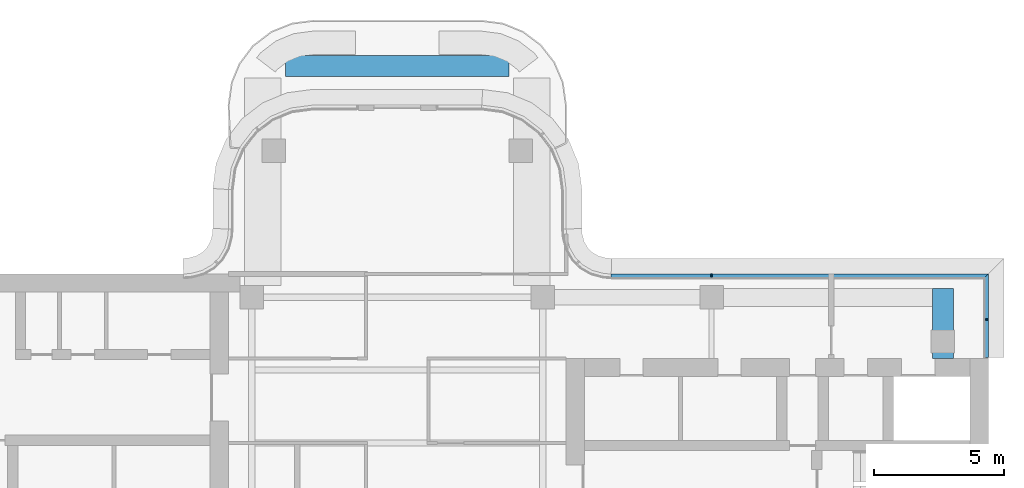
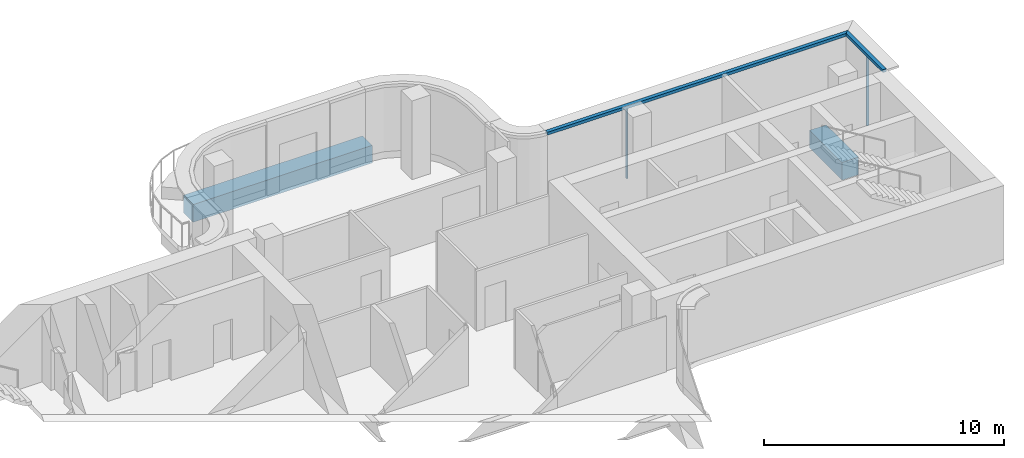
# One storey, part 5 of 11: 4 members, 2 beams, 2 elements without a shape of their own.
"""IFC4 building model written with IfcOpenShell, lengths in metres."""

from ifc_helpers import new_model, si_unit, direction, frame, origin, origin_2d, place, context, subcontext, project, spatial, polyline, rectangle, outline, extrude, source, transform, mapped, material, layer, layer_set, material_profile, profile_set, type_object, element, aggregate, save


model = new_model("IFC4")

# Units and contexts
model_context = context("Model", 3, precision=1e-05, world=origin(), true_north=direction((0.0, 1.0)))
body_context = subcontext(model_context, "Body", "Model", "MODEL_VIEW")
ifc_project = project(units=[si_unit("LENGTHUNIT", "METRE"), si_unit("AREAUNIT", "SQUARE_METRE"), si_unit("VOLUMEUNIT", "CUBIC_METRE"), si_unit("PLANEANGLEUNIT", "RADIAN"), si_unit("MASSUNIT", "GRAM", prefix="KILO")], contexts=[model_context])

# Site, building, storey
site_placement = place(None, origin())
site = spatial("IfcSite", under=ifc_project, at=site_placement, CompositionType="ELEMENT")
building_placement = place(site_placement, origin())
building = spatial("IfcBuilding", under=site, at=building_placement, Name="Trellis Farm Tower", CompositionType="ELEMENT")
storey_placement = place(building_placement, frame((0.0, 0.0, 346.10009765625)))
storey = spatial("IfcBuildingStorey", under=building, at=storey_placement, Name="L78", CompositionType="ELEMENT", Elevation=346.10009765625)

# Beams
ifc_material_1 = material(Name="Concrete C60/75", Category="concrete")
ifc_material_profile_1 = material_profile(ifc_material_1, rectangle(XDim=0.800048828125, YDim=0.89990234375, at=origin_2d()), Name="RC spandrel beam 800x900 C60/75")
ifc_profile_set_1 = profile_set([ifc_material_profile_1], Name="Concrete C60/75")
beam_type = type_object("IfcBeamType", Name="RC spandrel beam 800x900 C60/75", PredefinedType="SPANDREL", material=ifc_profile_set_1)
shared_shape_1 = source(origin(), body_context, "Body", "SweptSolid", [
    extrude(rectangle(XDim=0.800048828125, YDim=0.89990234375, at=origin_2d()), origin(), (0.0, 0.0, 1.0), 8.60009765625),
])
beam_1_placement = place(storey_placement, frame((-4.300048828125, 14.5, -0.7001953125), z_axis=(1.0, 0.0, 0.0), x_axis=(0.0, 1.0, 0.0)))
element("IfcBeam", 1, at=beam_1_placement, inside=storey, type_object=beam_type, Name="Girder", PredefinedType="SPANDREL", context=body_context, shape_type="MappedRepresentation", body=[
    mapped(shared_shape_1, transform((0.0, 0.0, 0.0))),
])
shared_shape_2 = source(origin(), body_context, "Body", "SweptSolid", [
    extrude(rectangle(XDim=0.800048828125, YDim=0.89990234375, at=origin_2d()), origin(), (0.0, 0.0, 1.0), 2.699951171875),
])
beam_2_placement = place(storey_placement, frame((21.0, 3.25, -0.7001953125), z_axis=(0.0, 1.0, 0.0), x_axis=(-1.0, 0.0, 0.0)))
element("IfcBeam", 2, at=beam_2_placement, inside=storey, type_object=beam_type, Name="Girder", PredefinedType="SPANDREL", context=body_context, shape_type="MappedRepresentation", body=[
    mapped(shared_shape_2, transform((0.0, 0.0, 0.0))),
])

# Curtain wall, member
ifc_material_2 = material(Name="Aluminium and glass curtain wall", Category="aluminium")
ifc_layer_1 = layer(ifc_material_2, 0.176025390625)
ifc_layer_set_1 = layer_set([ifc_layer_1], Name="CROWN LANTERN CURTAIN WALL CW5")
curtain_wall_type = type_object("IfcCurtainWallType", Name="CROWN LANTERN CURTAIN WALL CW5", PredefinedType="NOTDEFINED", material=ifc_layer_set_1)
placement_1 = place(storey_placement, origin())
curtain_wall_1 = element("IfcCurtainWall", 3, at=placement_1, inside=storey, type_object=curtain_wall_type, Name="CW5 006", PredefinedType="NOTDEFINED")
ifc_material_3 = material(Name="Aluminium extrusion 6063-T6", Category="aluminium")
ifc_material_profile_2 = material_profile(ifc_material_3, rectangle(XDim=0.06005859375, YDim=0.1201171875, at=origin_2d()), Name="MULLION 60x120")
ifc_profile_set_2 = profile_set([ifc_material_profile_2], Name="Aluminium extrusion 6063-T6")
member_type_1 = type_object("IfcMemberType", Name="CW5 MULLION 60x120", PredefinedType="MULLION", material=ifc_profile_set_2)
shared_shape_3 = source(origin(), body_context, "Body", "SweptSolid", [
    extrude(rectangle(XDim=0.06005859375, YDim=0.1201171875, at=origin_2d()), origin(), (0.0, 0.0, 1.0), 3.599853515625),
])
member_1_placement = place(storey_placement, frame((22.68994140625, 4.75, 0.0), z_axis=(0.0, 0.0, 1.0), x_axis=(0.0, 1.0, 0.0)))
member_1 = element("IfcMember", 4, at=member_1_placement, type_object=member_type_1, Name="MU5 006-01", PredefinedType="MULLION", context=body_context, shape_type="MappedRepresentation", body=[
    mapped(shared_shape_3, transform((0.0, 0.0, 0.0))),
])

# Curtain wall, members
curtain_wall_2 = element("IfcCurtainWall", 5, at=placement_1, inside=storey, type_object=curtain_wall_type, Name="CW5 007", PredefinedType="NOTDEFINED")
member_2_placement = place(storey_placement, frame((12.10009765625, 6.43994140625, 0.0), z_axis=(0.0, 0.0, 1.0), x_axis=(-1.0, 0.0, 0.0)))
member_2 = element("IfcMember", 6, at=member_2_placement, type_object=member_type_1, Name="MU5 007-01", PredefinedType="MULLION", context=body_context, shape_type="MappedRepresentation", body=[
    mapped(shared_shape_3, transform((0.0, 0.0, 0.0))),
])
ifc_layer_2 = layer(ifc_material_3, 0.176025390625)
ifc_layer_set_2 = layer_set([ifc_layer_2], Name="Aluminium extrusion 6063-T6")
member_type_2 = type_object("IfcMemberType", Name="CW5 TRANSOM 176x150", PredefinedType="USERDEFINED", material=ifc_layer_set_2)
shared_shape_4 = source(origin(), body_context, "Body", "SweptSolid", [
    extrude(outline(polyline([(22.75, 6.5), (8.2314453125, 6.5), (8.2255859375, 6.323974609375), (22.573974609375, 6.323974609375), (22.75, 6.5)])), origin(), (0.0, 0.0, 1.0), 0.150146484375),
])
placement_2 = place(storey_placement, frame((0.0, 0.0, 3.599853515625)))
member_3 = element("IfcMember", 7, at=placement_2, type_object=member_type_2, Name="TR5 007", ObjectType="TRANSOM", PredefinedType="USERDEFINED", context=body_context, shape_type="MappedRepresentation", body=[
    mapped(shared_shape_4, transform((0.0, 0.0, 0.0))),
])
aggregate(curtain_wall_2, [member_2, member_3])

# Member
shared_shape_5 = source(origin(), body_context, "Body", "SweptSolid", [
    extrude(outline(polyline([(22.75, 3.280029296875), (22.75, 6.5), (22.573974609375, 6.323974609375), (22.573974609375, 3.280029296875), (22.75, 3.280029296875)])), origin(), (0.0, 0.0, 1.0), 0.150146484375),
])
member_4 = element("IfcMember", 8, at=placement_2, type_object=member_type_2, Name="TR5 006", ObjectType="TRANSOM", PredefinedType="USERDEFINED", context=body_context, shape_type="MappedRepresentation", body=[
    mapped(shared_shape_5, transform((0.0, 0.0, 0.0))),
])

aggregate(curtain_wall_1, [member_1, member_4])

save(model, "model.ifc")
